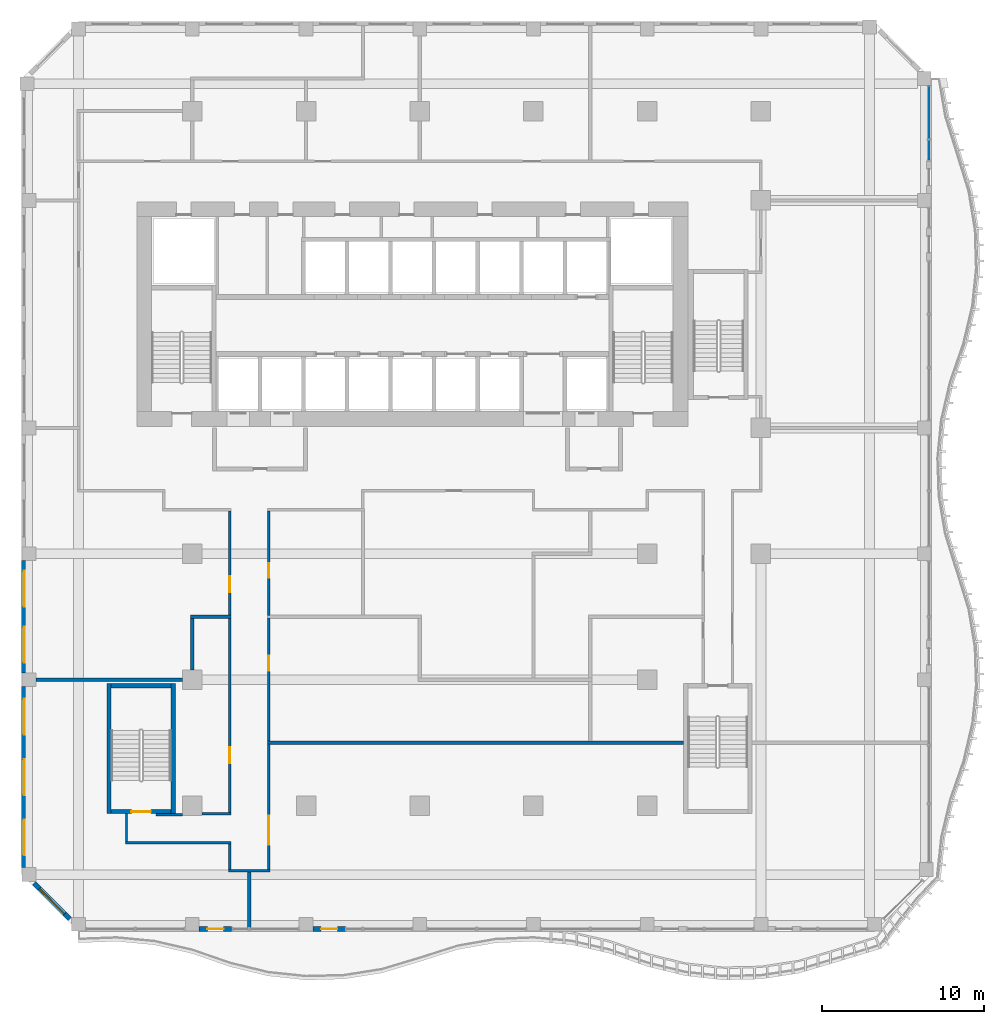
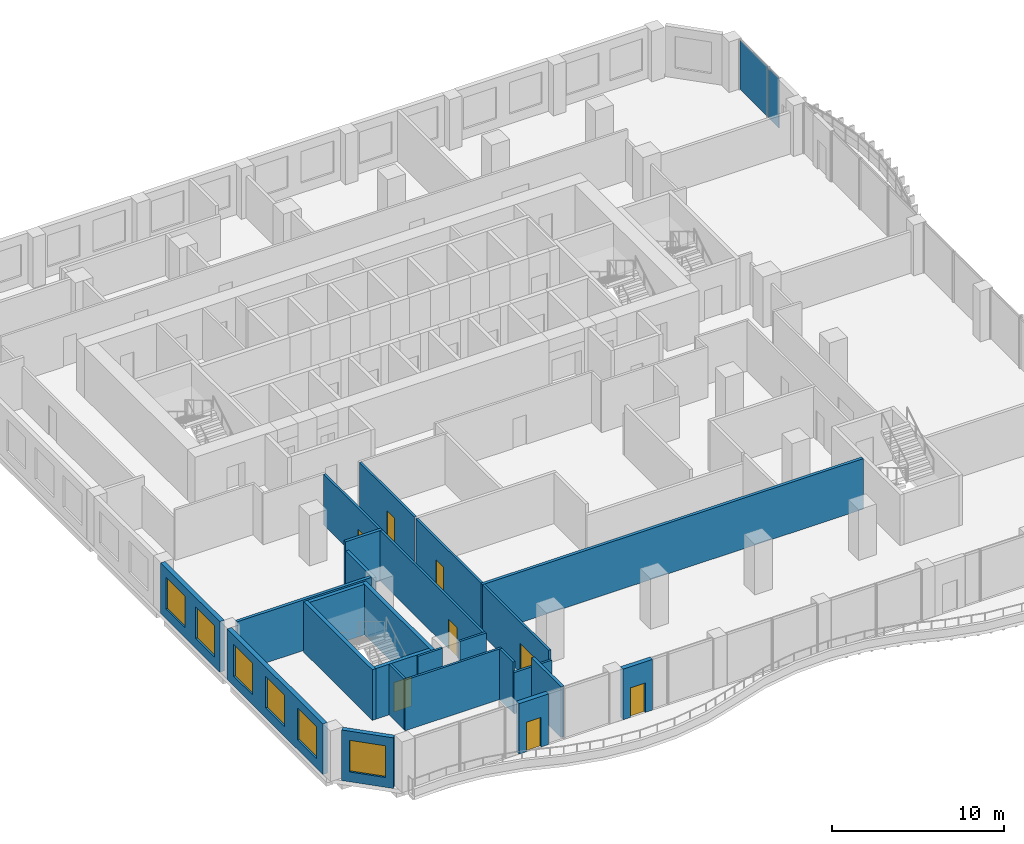
# One storey, part 10 of 19: 25 walls, 8 doors, 6 windows, 2 plates, 14 openings, 2 elements without a shape of their own.
"""IFC4 building model written with IfcOpenShell, lengths in metres."""

from ifc_helpers import new_model, si_unit, direction, frame, frame_2d, origin, origin_2d, place, context, subcontext, project, spatial, rectangle, extrude, source, transform, mapped, material, layer, layer_set, type_object, element, fill, aggregate, save


model = new_model("IFC4")

# Units and contexts
model_context = context("Model", 3, precision=1e-05, world=origin(), true_north=direction((0.0, 1.0)))
body_context = subcontext(model_context, "Body", "Model", "MODEL_VIEW")
ifc_project = project(units=[si_unit("LENGTHUNIT", "METRE"), si_unit("AREAUNIT", "SQUARE_METRE"), si_unit("VOLUMEUNIT", "CUBIC_METRE"), si_unit("PLANEANGLEUNIT", "RADIAN"), si_unit("MASSUNIT", "GRAM", prefix="KILO")], contexts=[model_context])

# Site, building, storey
site_placement = place(None, origin())
site = spatial("IfcSite", under=ifc_project, at=site_placement, CompositionType="ELEMENT")
building_placement = place(site_placement, origin())
building = spatial("IfcBuilding", under=site, at=building_placement, Name="Kilnfold Tower and Market Hall", CompositionType="ELEMENT")
storey_placement = place(building_placement, frame((0.0, 0.0, 124.60009765625)))
storey = spatial("IfcBuildingStorey", under=building, at=storey_placement, Name="L29", CompositionType="ELEMENT", Elevation=124.60009765625)

# Curtain wall, plate
ifc_material_1 = material(Name="Aluminium and double glazing", Category="aluminium")
curtain_wall_type = type_object("IfcCurtainWallType", Name="CW OF2 VALLEY GLAZING", PredefinedType="NOTDEFINED", material=ifc_material_1)
curtain_wall_1_placement = place(storey_placement, origin())
curtain_wall_1 = element("IfcCurtainWall", 1, at=curtain_wall_1_placement, inside=storey, type_object=curtain_wall_type, Name="Curtain wall CW2 L29 E", PredefinedType="NOTDEFINED")
ifc_material_2 = material(Name="Double glazed unit")
ifc_layer_1 = layer(ifc_material_2, 0.031982421875)
ifc_layer_set_1 = layer_set([ifc_layer_1], Name="Double glazed unit")
plate_type = type_object("IfcPlateType", Name="GLAZING PANEL 32", PredefinedType="CURTAIN_PANEL", material=ifc_layer_set_1)
shared_shape_1 = source(origin(), body_context, "Body", "SweptSolid", [
    extrude(rectangle(XDim=1.205078125, YDim=0.031982421875, at=origin_2d()), origin(), (0.0, 0.0, 1.0), 3.5400390625),
])
plate_1_placement = place(storey_placement, frame((32.85009765625, 25.08740234375, 0.0), z_axis=(0.0, 0.0, 1.0), x_axis=(0.0, 1.0, 0.0)))
plate_1 = element("IfcPlate", 2, at=plate_1_placement, type_object=plate_type, Name="CW2 panel 1.1", PredefinedType="CURTAIN_PANEL", context=body_context, shape_type="MappedRepresentation", body=[
    mapped(shared_shape_1, transform((0.0, 0.0, 0.0))),
])
aggregate(curtain_wall_1, [plate_1])

curtain_wall_2_placement = place(storey_placement, origin())
curtain_wall_2 = element("IfcCurtainWall", 3, at=curtain_wall_2_placement, inside=storey, type_object=curtain_wall_type, Name="Curtain wall CW2 L29 E", PredefinedType="NOTDEFINED")
shared_shape_2 = source(origin(), body_context, "Body", "SweptSolid", [
    extrude(rectangle(XDim=3.205078125, YDim=0.031982421875, at=origin_2d()), origin(), (0.0, 0.0, 1.0), 3.5400390625),
])
plate_2_placement = place(storey_placement, frame((32.85009765625, 27.41259765625, 0.0), z_axis=(0.0, 0.0, 1.0), x_axis=(0.0, 1.0, 0.0)))
plate_2 = element("IfcPlate", 4, at=plate_2_placement, type_object=plate_type, Name="CW2 panel 1.1", PredefinedType="CURTAIN_PANEL", context=body_context, shape_type="MappedRepresentation", body=[
    mapped(shared_shape_2, transform((0.0, 0.0, 0.0))),
])
aggregate(curtain_wall_2, [plate_2])

# Wall, opening, door
ifc_material_3 = material(Name="Gypsum board on steel studs", Category="steel")
ifc_layer_2 = layer(ifc_material_3, 0.14990234375)
ifc_layer_set_2 = layer_set([ifc_layer_2], Name="Gypsum board on steel studs")
wall_type_1 = type_object("IfcWallType", Name="WALL CORRIDOR 150", PredefinedType="PARTITIONING", material=ifc_layer_set_2)
wall_1_placement = place(storey_placement, frame((-10.199951171875, -3.534912109375, 0.0), z_axis=(0.0, 0.0, 1.0), x_axis=(0.0, 1.0, 0.0)))
wall_1 = element("IfcWall", 5, at=wall_1_placement, inside=storey, type_object=wall_type_1, Name="Partition LY18.1", PredefinedType="PARTITIONING", context=body_context, shape_type="SweptSolid", body=[
    extrude(rectangle(XDim=6.409912109375, YDim=0.14990234375, at=frame_2d((3.205078125, 0.0))), origin(), (0.0, 0.0, 1.0), 3.599853515625),
])
opening_1_placement = place(wall_1_placement, frame((1.402099609375, 0.0, 0.0)))
opening_1 = element("IfcOpeningElement", 6, at=opening_1_placement, cuts=wall_1, Name="Opening D1", PredefinedType="OPENING", context=body_context, shape_type="SweptSolid", body=[
    extrude(rectangle(XDim=1.0, YDim=2.10009765625, at=frame_2d((0.5, 1.050048828125))), frame((0.0, 0.0849609375, 0.0), z_axis=(0.0, -1.0, 0.0), x_axis=(1.0, 0.0, 0.0)), (0.0, 0.0, 1.0), 0.169921875),
])
ifc_material_4 = material(Name="Timber veneer door leaf in steel frame", Category="steel")
door_type_1 = type_object("IfcDoorType", Name="DOOR ENTRY 1000 X2100", OperationType="NOTDEFINED", PredefinedType="DOOR", material=ifc_material_4)
door_1_placement = place(opening_1_placement, origin())
door_1 = element("IfcDoor", 7, at=door_1_placement, inside=storey, type_object=door_type_1, Name="Door D1", OperationType="SINGLE_SWING_LEFT", OverallHeight=2.10009765625, OverallWidth=1.0, PredefinedType="DOOR", context=body_context, shape_type="SweptSolid", body=[
    extrude(rectangle(XDim=1.0, YDim=2.10009765625, at=frame_2d((0.5, 1.050048828125))), frame((0.0, 0.02490234375, 0.0), z_axis=(0.0, -1.0, 0.0), x_axis=(1.0, 0.0, 0.0)), (0.0, 0.0, 1.0), 0.050048828125),
])
fill(opening_1, door_1)

# Wall
wall_2_placement = place(storey_placement, frame((-10.125, -15.75, 0.0), z_axis=(0.0, 0.0, 1.0), x_axis=(-1.0, 0.0, 0.0)))
element("IfcWall", 8, at=wall_2_placement, inside=storey, type_object=wall_type_1, Name="Partition LY18.6", PredefinedType="PARTITIONING", context=body_context, shape_type="SweptSolid", body=[
    extrude(rectangle(XDim=1.77490234375, YDim=0.14990234375, at=frame_2d((0.887451171875, 0.0))), origin(), (0.0, 0.0, 1.0), 3.599853515625),
])

# Wall, opening, door
wall_3_placement = place(storey_placement, frame((-10.199951171875, -15.675048828125, 0.0), z_axis=(0.0, 0.0, 1.0), x_axis=(0.0, 1.0, 0.0)))
wall_3 = element("IfcWall", 9, at=wall_3_placement, inside=storey, type_object=wall_type_1, Name="Partition LY18.7", PredefinedType="PARTITIONING", context=body_context, shape_type="SweptSolid", body=[
    extrude(rectangle(XDim=11.9599609375, YDim=0.14990234375, at=frame_2d((5.97998046875, 0.0))), origin(), (0.0, 0.0, 1.0), 3.599853515625),
])
opening_2_placement = place(wall_3_placement, frame((3.01611328125, 0.0, 0.0)))
opening_2 = element("IfcOpeningElement", 10, at=opening_2_placement, cuts=wall_3, Name="Opening D1", PredefinedType="OPENING", context=body_context, shape_type="SweptSolid", body=[
    extrude(rectangle(XDim=1.0, YDim=2.10009765625, at=frame_2d((0.5, 1.050048828125))), frame((0.0, 0.0849609375, 0.0), z_axis=(0.0, -1.0, 0.0), x_axis=(1.0, 0.0, 0.0)), (0.0, 0.0, 1.0), 0.169921875),
])
door_2_placement = place(opening_2_placement, origin())
door_2 = element("IfcDoor", 11, at=door_2_placement, inside=storey, type_object=door_type_1, Name="Door D1", OperationType="SINGLE_SWING_RIGHT", OverallHeight=2.10009765625, OverallWidth=1.0, PredefinedType="DOOR", context=body_context, shape_type="SweptSolid", body=[
    extrude(rectangle(XDim=1.0, YDim=2.10009765625, at=frame_2d((0.5, 1.050048828125))), frame((0.0, 0.02490234375, 0.0), z_axis=(0.0, -1.0, 0.0), x_axis=(1.0, 0.0, 0.0)), (0.0, 0.0, 1.0), 0.050048828125),
])
fill(opening_2, door_2)

# Walls
wall_4_placement = place(storey_placement, frame((-10.27490234375, -19.25, 0.0), z_axis=(0.0, 0.0, 1.0), x_axis=(1.0, 0.0, 0.0)))
element("IfcWall", 12, at=wall_4_placement, inside=storey, type_object=wall_type_1, Name="Partition LY18.8", PredefinedType="PARTITIONING", context=body_context, shape_type="SweptSolid", body=[
    extrude(rectangle(XDim=2.5498046875, YDim=0.14990234375, at=frame_2d((1.27490234375, 0.0))), origin(), (0.0, 0.0, 1.0), 2.949951171875),
])
wall_5_placement = place(storey_placement, frame((-10.199951171875, -19.175048828125, 0.0), z_axis=(0.0, 0.0, 1.0), x_axis=(0.0, 1.0, 0.0)))
element("IfcWall", 13, at=wall_5_placement, inside=storey, type_object=wall_type_1, Name="Partition LY18.9", PredefinedType="PARTITIONING", context=body_context, shape_type="SweptSolid", body=[
    extrude(rectangle(XDim=1.550048828125, YDim=0.14990234375, at=frame_2d((0.77490234375, 0.0))), origin(), (0.0, 0.0, 1.0), 3.599853515625),
])
wall_6_placement = place(storey_placement, frame((-16.625, -17.550048828125, 0.0), z_axis=(0.0, 0.0, 1.0), x_axis=(1.0, 0.0, 0.0)))
element("IfcWall", 14, at=wall_6_placement, inside=storey, type_object=wall_type_1, Name="Partition LY18.10", PredefinedType="PARTITIONING", context=body_context, shape_type="SweptSolid", body=[
    extrude(rectangle(XDim=6.5, YDim=0.14990234375, at=frame_2d((3.25, 0.0))), origin(), (0.0, 0.0, 1.0), 3.599853515625),
])
wall_7_placement = place(storey_placement, frame((-16.550048828125, -15.75, 0.0), z_axis=(0.0, 0.0, 1.0), x_axis=(0.0, -1.0, 0.0)))
element("IfcWall", 15, at=wall_7_placement, inside=storey, type_object=wall_type_1, Name="Partition LY18.11", PredefinedType="PARTITIONING", context=body_context, shape_type="SweptSolid", body=[
    extrude(rectangle(XDim=1.72509765625, YDim=0.14990234375, at=frame_2d((0.862548828125, 0.0))), origin(), (0.0, 0.0, 1.0), 3.599853515625),
])
wall_8_placement = place(storey_placement, frame((-13.10009765625, -15.824951171875, 0.0), z_axis=(0.0, 0.0, 1.0), x_axis=(-1.0, 0.0, 0.0)))
element("IfcWall", 16, at=wall_8_placement, inside=storey, type_object=wall_type_1, Name="Partition LY18.12", PredefinedType="PARTITIONING", context=body_context, shape_type="SweptSolid", body=[
    extrude(rectangle(XDim=1.64990234375, YDim=0.14990234375, at=frame_2d((0.824951171875, 0.0))), origin(), (0.0, 0.0, 1.0), 3.599853515625),
])

# Wall, opening, door
wall_9_placement = place(storey_placement, frame((-7.800048828125, -3.534912109375, 0.0), z_axis=(0.0, 0.0, 1.0), x_axis=(0.0, 1.0, 0.0)))
wall_9 = element("IfcWall", 17, at=wall_9_placement, inside=storey, type_object=wall_type_1, Name="Partition LY18.14", PredefinedType="PARTITIONING", context=body_context, shape_type="SweptSolid", body=[
    extrude(rectangle(XDim=6.409912109375, YDim=0.14990234375, at=frame_2d((3.205078125, 0.0))), origin(), (0.0, 0.0, 1.0), 3.599853515625),
])
opening_3_placement = place(wall_9_placement, frame((2.303955078125, 0.0, 0.0)))
opening_3 = element("IfcOpeningElement", 18, at=opening_3_placement, cuts=wall_9, Name="Opening D3", PredefinedType="OPENING", context=body_context, shape_type="SweptSolid", body=[
    extrude(rectangle(XDim=0.89990234375, YDim=2.10009765625, at=frame_2d((0.449951171875, 1.050048828125))), frame((0.0, 0.0849609375, 0.0), z_axis=(0.0, -1.0, 0.0), x_axis=(1.0, 0.0, 0.0)), (0.0, 0.0, 1.0), 0.169921875),
])
ifc_material_5 = material(Name="Timber veneer door leaf in steel frame", Category="steel")
door_type_2 = type_object("IfcDoorType", Name="DOOR WC 900 X2100", OperationType="NOTDEFINED", PredefinedType="DOOR", material=ifc_material_5)
door_3_placement = place(opening_3_placement, origin())
door_3 = element("IfcDoor", 19, at=door_3_placement, inside=storey, type_object=door_type_2, Name="Door D3", OperationType="SINGLE_SWING_RIGHT", OverallHeight=2.10009765625, OverallWidth=0.89990234375, PredefinedType="DOOR", context=body_context, shape_type="SweptSolid", body=[
    extrude(rectangle(XDim=0.89990234375, YDim=2.10009765625, at=frame_2d((0.449951171875, 1.050048828125))), frame((0.0, 0.02490234375, 0.0), z_axis=(0.0, -1.0, 0.0), x_axis=(1.0, 0.0, 0.0)), (0.0, 0.0, 1.0), 0.050048828125),
])
fill(opening_3, door_3)

wall_10_placement = place(storey_placement, frame((-7.800048828125, -11.284912109375, 0.0), z_axis=(0.0, 0.0, 1.0), x_axis=(0.0, 1.0, 0.0)))
wall_10 = element("IfcWall", 20, at=wall_10_placement, inside=storey, type_object=wall_type_1, Name="Partition LY18.15", PredefinedType="PARTITIONING", context=body_context, shape_type="SweptSolid", body=[
    extrude(rectangle(XDim=7.56982421875, YDim=0.14990234375, at=frame_2d((3.784912109375, 0.0))), origin(), (0.0, 0.0, 1.0), 3.599853515625),
])
opening_4_placement = place(wall_10_placement, frame((4.345947265625, 0.0, 0.0)))
opening_4 = element("IfcOpeningElement", 21, at=opening_4_placement, cuts=wall_10, Name="Opening D2", PredefinedType="OPENING", context=body_context, shape_type="SweptSolid", body=[
    extrude(rectangle(XDim=0.89990234375, YDim=2.10009765625, at=frame_2d((0.449951171875, 1.050048828125))), frame((0.0, 0.0849609375, 0.0), z_axis=(0.0, -1.0, 0.0), x_axis=(1.0, 0.0, 0.0)), (0.0, 0.0, 1.0), 0.169921875),
])
ifc_material_6 = material(Name="Timber veneer door leaf in steel frame", Category="steel")
door_type_3 = type_object("IfcDoorType", Name="DOOR ROOM 900 X2100", OperationType="NOTDEFINED", PredefinedType="DOOR", material=ifc_material_6)
door_4_placement = place(opening_4_placement, origin())
door_4 = element("IfcDoor", 22, at=door_4_placement, inside=storey, type_object=door_type_3, Name="Door D2", OperationType="SINGLE_SWING_RIGHT", OverallHeight=2.10009765625, OverallWidth=0.89990234375, PredefinedType="DOOR", context=body_context, shape_type="SweptSolid", body=[
    extrude(rectangle(XDim=0.89990234375, YDim=2.10009765625, at=frame_2d((0.449951171875, 1.050048828125))), frame((0.0, 0.02490234375, 0.0), z_axis=(0.0, -1.0, 0.0), x_axis=(1.0, 0.0, 0.0)), (0.0, 0.0, 1.0), 0.050048828125),
])
fill(opening_4, door_4)

wall_11_placement = place(storey_placement, frame((-7.800048828125, -19.175048828125, 0.0), z_axis=(0.0, 0.0, 1.0), x_axis=(0.0, 1.0, 0.0)))
wall_11 = element("IfcWall", 23, at=wall_11_placement, inside=storey, type_object=wall_type_1, Name="Partition LY18.16", PredefinedType="PARTITIONING", context=body_context, shape_type="SweptSolid", body=[
    extrude(rectangle(XDim=7.7099609375, YDim=0.14990234375, at=frame_2d((3.85498046875, 0.0))), origin(), (0.0, 0.0, 1.0), 3.599853515625),
])
opening_5_placement = place(wall_11_placement, frame((1.501953125, 0.0, 0.0)))
opening_5 = element("IfcOpeningElement", 24, at=opening_5_placement, cuts=wall_11, Name="Opening D5", PredefinedType="OPENING", context=body_context, shape_type="SweptSolid", body=[
    extrude(rectangle(XDim=1.800048828125, YDim=2.10009765625, at=frame_2d((0.89990234375, 1.050048828125))), frame((0.0, 0.0849609375, 0.0), z_axis=(0.0, -1.0, 0.0), x_axis=(1.0, 0.0, 0.0)), (0.0, 0.0, 1.0), 0.169921875),
])
ifc_material_7 = material(Name="Timber veneer door leaf in steel frame", Category="steel")
door_type_4 = type_object("IfcDoorType", Name="DOOR DOUBLE 1800 X2100", OperationType="NOTDEFINED", PredefinedType="DOOR", material=ifc_material_7)
door_5_placement = place(opening_5_placement, origin())
door_5 = element("IfcDoor", 25, at=door_5_placement, inside=storey, type_object=door_type_4, Name="Door D5", OperationType="DOUBLE_DOOR_SINGLE_SWING", OverallHeight=2.10009765625, OverallWidth=1.800048828125, PredefinedType="DOOR", context=body_context, shape_type="SweptSolid", body=[
    extrude(rectangle(XDim=1.800048828125, YDim=2.10009765625, at=frame_2d((0.89990234375, 1.050048828125))), frame((0.0, 0.02490234375, 0.0), z_axis=(0.0, -1.0, 0.0), x_axis=(1.0, 0.0, 0.0)), (0.0, 0.0, 1.0), 0.050048828125),
])
fill(opening_5, door_5)

# Walls
ifc_material_8 = material(Name="Gypsum board on steel studs", Category="steel")
ifc_layer_3 = layer(ifc_material_8, 0.199951171875)
ifc_layer_set_3 = layer_set([ifc_layer_3], Name="Gypsum board on steel studs")
wall_type_2 = type_object("IfcWallType", Name="WALL PARTY 200", PredefinedType="PARTITIONING", material=ifc_layer_set_3)
wall_12_placement = place(storey_placement, frame((-12.60009765625, -3.625, 0.0), z_axis=(0.0, 0.0, 1.0), x_axis=(1.0, 0.0, 0.0)))
element("IfcWall", 26, at=wall_12_placement, inside=storey, type_object=wall_type_2, Name="Partition LY18.36", PredefinedType="PARTITIONING", context=body_context, shape_type="SweptSolid", body=[
    extrude(rectangle(XDim=2.47412109375, YDim=0.199951171875, at=frame_2d((1.237060546875, 0.0))), origin(), (0.0, 0.0, 1.0), 3.599853515625),
])
wall_13_placement = place(storey_placement, frame((-12.5, -6.89990234375, 0.0), z_axis=(0.0, 0.0, 1.0), x_axis=(0.0, 1.0, 0.0)))
element("IfcWall", 27, at=wall_13_placement, inside=storey, type_object=wall_type_2, Name="Partition LY18.37", PredefinedType="PARTITIONING", context=body_context, shape_type="SweptSolid", body=[
    extrude(rectangle(XDim=3.1748046875, YDim=0.199951171875, at=frame_2d((1.58740234375, 0.0))), origin(), (0.0, 0.0, 1.0), 2.949951171875),
])
wall_14_placement = place(storey_placement, frame((-22.125, -7.5, 0.0), z_axis=(0.0, 0.0, 1.0), x_axis=(1.0, 0.0, 0.0)))
element("IfcWall", 28, at=wall_14_placement, inside=storey, type_object=wall_type_2, Name="Partition LY18.38", PredefinedType="PARTITIONING", context=body_context, shape_type="SweptSolid", body=[
    extrude(rectangle(XDim=9.02490234375, YDim=0.199951171875, at=frame_2d((4.512451171875, 0.0))), origin(), (0.0, 0.0, 1.0), 3.599853515625),
])
wall_15_placement = place(storey_placement, frame((-9.0, -22.75, 0.0), z_axis=(0.0, 0.0, 1.0), x_axis=(0.0, 1.0, 0.0)))
element("IfcWall", 29, at=wall_15_placement, inside=storey, type_object=wall_type_2, Name="Partition LY18.40", PredefinedType="PARTITIONING", context=body_context, shape_type="SweptSolid", body=[
    extrude(rectangle(XDim=3.424072265625, YDim=0.199951171875, at=frame_2d((1.7119140625, 0.0))), origin(), (0.0, 0.0, 1.0), 3.599853515625),
])
wall_16_placement = place(storey_placement, frame((-7.8740234375, -11.375, 0.0), z_axis=(0.0, 0.0, 1.0), x_axis=(1.0, 0.0, 0.0)))
element("IfcWall", 30, at=wall_16_placement, inside=storey, type_object=wall_type_2, Name="Partition LY18.43", PredefinedType="PARTITIONING", context=body_context, shape_type="SweptSolid", body=[
    extrude(rectangle(XDim=25.6240234375, YDim=0.199951171875, at=frame_2d((12.81201171875, 0.0))), origin(), (0.0, 0.0, 1.0), 3.599853515625),
])

# Wall, opening, door
ifc_material_9 = material(Name="Concrete C70", Category="concrete")
ifc_layer_4 = layer(ifc_material_9, 0.25)
ifc_layer_set_4 = layer_set([ifc_layer_4], Name="Concrete C70")
wall_type_3 = type_object("IfcWallType", Name="CORE WALL 250 C70", PredefinedType="SHEAR", material=ifc_layer_set_4)
shared_shape_3 = source(origin(), body_context, "Body", "SweptSolid", [
    extrude(rectangle(XDim=3.699951171875, YDim=0.25, at=frame_2d((1.85009765625, 0.0))), origin(), (0.0, 0.0, 1.0), 3.599853515625),
])
wall_17_placement = place(storey_placement, frame((-17.5, -15.625, 0.0), z_axis=(0.0, 0.0, 1.0), x_axis=(1.0, 0.0, 0.0)))
wall_17 = element("IfcWall", 31, at=wall_17_placement, inside=storey, type_object=wall_type_3, Name="Stair enclosure ST3", PredefinedType="SHEAR", context=body_context, shape_type="MappedRepresentation", body=[
    mapped(shared_shape_3, transform((0.0, 0.0, 0.0))),
])
opening_6_placement = place(wall_17_placement, frame((1.25, 0.0, 0.0)))
opening_6 = element("IfcOpeningElement", 32, at=opening_6_placement, cuts=wall_17, Name="Opening SD1", PredefinedType="OPENING", context=body_context, shape_type="SweptSolid", body=[
    extrude(rectangle(XDim=1.199951171875, YDim=2.10009765625, at=frame_2d((0.60009765625, 1.050048828125))), frame((0.0, 0.135009765625, 0.0), z_axis=(0.0, -1.0, 0.0), x_axis=(1.0, 0.0, 0.0)), (0.0, 0.0, 1.0), 0.27001953125),
])
ifc_material_10 = material(Name="Steel door set with fire-resisting leaf", Category="steel")
door_type_5 = type_object("IfcDoorType", Name="STAIR FLOOR DOOR 1200X2100", OperationType="NOTDEFINED", PredefinedType="DOOR", material=ifc_material_10)
door_6_placement = place(opening_6_placement, origin())
door_6 = element("IfcDoor", 33, at=door_6_placement, inside=storey, type_object=door_type_5, Name="Exit stair ST3 door", OperationType="DOUBLE_DOOR_SINGLE_SWING", OverallHeight=2.10009765625, OverallWidth=1.199951171875, PredefinedType="DOOR", context=body_context, shape_type="SweptSolid", body=[
    extrude(rectangle(XDim=1.199951171875, YDim=2.10009765625, at=frame_2d((0.60009765625, 1.050048828125))), frame((0.0, 0.02490234375, 0.0), z_axis=(0.0, -1.0, 0.0), x_axis=(1.0, 0.0, 0.0)), (0.0, 0.0, 1.0), 0.050048828125),
])
fill(opening_6, door_6)

# Walls
wall_18_placement = place(storey_placement, frame((-17.5, -7.875, 0.0), z_axis=(0.0, 0.0, 1.0), x_axis=(1.0, 0.0, 0.0)))
element("IfcWall", 34, at=wall_18_placement, inside=storey, type_object=wall_type_3, Name="Stair enclosure ST3", PredefinedType="SHEAR", context=body_context, shape_type="MappedRepresentation", body=[
    mapped(shared_shape_3, transform((0.0, 0.0, 0.0))),
])
shared_shape_4 = source(origin(), body_context, "Body", "SweptSolid", [
    extrude(rectangle(XDim=8.0, YDim=0.25, at=frame_2d((4.0, 0.0))), origin(), (0.0, 0.0, 1.0), 3.599853515625),
])
for number, where, z_axis, x_axis, name in (
    (35, (-17.625, -15.75, 0.0), (0.0, 0.0, 1.0), (0.0, 1.0, 0.0), "Stair enclosure ST3"),
    (36, (-13.675048828125, -15.75, 0.0), (0.0, 0.0, 1.0), (0.0, 1.0, 0.0), "Stair enclosure ST3"),
):
    element("IfcWall", number, at=place(storey_placement, frame(where, z_axis=z_axis, x_axis=x_axis)), inside=storey, type_object=wall_type_3, Name=name, PredefinedType="SHEAR", context=body_context, shape_type="MappedRepresentation", body=[
        mapped(shared_shape_4, transform((0.0, 0.0, 0.0))),
    ])

# Wall, opening, door
ifc_material_11 = material(Name="Precast concrete C50/60", Category="concrete")
ifc_layer_5 = layer(ifc_material_11, 0.300048828125)
ifc_layer_set_5 = layer_set([ifc_layer_5], Name="Precast concrete C50/60")
wall_type_4 = type_object("IfcWallType", Name="PRECAST WALL 300", PredefinedType="SOLIDWALL", material=ifc_layer_set_5)
shared_shape_5 = source(origin(), body_context, "Body", "SweptSolid", [
    extrude(rectangle(XDim=2.0, YDim=0.300048828125, at=frame_2d((1.0, 0.0))), origin(), (0.0, 0.0, 1.0), 3.599853515625),
])
wall_19_placement = place(storey_placement, frame((-12.074951171875, -22.85009765625, 0.0), z_axis=(0.0, 0.0, 1.0), x_axis=(1.0, 0.0, 0.0)))
wall_19 = element("IfcWall", 37, at=wall_19_placement, inside=storey, type_object=wall_type_4, Name="External wall L29 S", PredefinedType="SOLIDWALL", context=body_context, shape_type="MappedRepresentation", body=[
    mapped(shared_shape_5, transform((0.0, 0.0, 0.0))),
])
opening_7_placement = place(wall_19_placement, frame((0.5, 0.0, 0.0)))
opening_7 = element("IfcOpeningElement", 38, at=opening_7_placement, cuts=wall_19, Name="Opening BD1", PredefinedType="OPENING", context=body_context, shape_type="SweptSolid", body=[
    extrude(rectangle(XDim=1.0, YDim=2.10009765625, at=frame_2d((0.5, 1.050048828125))), frame((0.0, 0.16015625, 0.0), z_axis=(0.0, -1.0, 0.0), x_axis=(1.0, 0.0, 0.0)), (0.0, 0.0, 1.0), 0.320068359375),
])
ifc_material_12 = material(Name="Aluminium frame and double glazing", Category="aluminium")
door_type_6 = type_object("IfcDoorType", Name="BALCONY DOOR 1000X2100", OperationType="NOTDEFINED", PredefinedType="DOOR", material=ifc_material_12)
door_7_placement = place(opening_7_placement, origin())
door_7 = element("IfcDoor", 39, at=door_7_placement, inside=storey, type_object=door_type_6, Name="Balcony door BD1 L29 S-1", OperationType="SINGLE_SWING_LEFT", OverallHeight=2.10009765625, OverallWidth=1.0, PredefinedType="DOOR", context=body_context, shape_type="SweptSolid", body=[
    extrude(rectangle(XDim=1.0, YDim=2.10009765625, at=frame_2d((0.5, 1.050048828125))), frame((0.0, 0.02490234375, 0.0), z_axis=(0.0, -1.0, 0.0), x_axis=(1.0, 0.0, 0.0)), (0.0, 0.0, 1.0), 0.050048828125),
])
fill(opening_7, door_7)

wall_20_placement = place(storey_placement, frame((-5.074951171875, -22.85009765625, 0.0), z_axis=(0.0, 0.0, 1.0), x_axis=(1.0, 0.0, 0.0)))
wall_20 = element("IfcWall", 40, at=wall_20_placement, inside=storey, type_object=wall_type_4, Name="External wall L29 S", PredefinedType="SOLIDWALL", context=body_context, shape_type="MappedRepresentation", body=[
    mapped(shared_shape_5, transform((0.0, 0.0, 0.0))),
])
opening_8_placement = place(wall_20_placement, frame((0.5, 0.0, 0.0)))
opening_8 = element("IfcOpeningElement", 41, at=opening_8_placement, cuts=wall_20, Name="Opening BD1", PredefinedType="OPENING", context=body_context, shape_type="SweptSolid", body=[
    extrude(rectangle(XDim=1.0, YDim=2.10009765625, at=frame_2d((0.5, 1.050048828125))), frame((0.0, 0.16015625, 0.0), z_axis=(0.0, -1.0, 0.0), x_axis=(1.0, 0.0, 0.0)), (0.0, 0.0, 1.0), 0.320068359375),
])
door_8_placement = place(opening_8_placement, origin())
door_8 = element("IfcDoor", 42, at=door_8_placement, inside=storey, type_object=door_type_6, Name="Balcony door BD1 L29 S-1", OperationType="SINGLE_SWING_LEFT", OverallHeight=2.10009765625, OverallWidth=1.0, PredefinedType="DOOR", context=body_context, shape_type="SweptSolid", body=[
    extrude(rectangle(XDim=1.0, YDim=2.10009765625, at=frame_2d((0.5, 1.050048828125))), frame((0.0, 0.02490234375, 0.0), z_axis=(0.0, -1.0, 0.0), x_axis=(1.0, 0.0, 0.0)), (0.0, 0.0, 1.0), 0.050048828125),
])
fill(opening_8, door_8)

# Wall, openings, windows
shared_shape_6 = source(origin(), body_context, "Body", "SweptSolid", [
    extrude(rectangle(XDim=6.89990234375, YDim=0.300048828125, at=frame_2d((3.449951171875, 0.0))), origin(), (0.0, 0.0, 1.0), 3.599853515625),
])
wall_21_placement = place(storey_placement, frame((-22.85009765625, -0.175048828125, 0.0), z_axis=(0.0, 0.0, 1.0), x_axis=(0.0, -1.0, 0.0)))
wall_21 = element("IfcWall", 43, at=wall_21_placement, inside=storey, type_object=wall_type_4, Name="External wall L29 W", PredefinedType="SOLIDWALL", context=body_context, shape_type="MappedRepresentation", body=[
    mapped(shared_shape_6, transform((0.0, 0.0, 0.0))),
])
opening_9_placement = place(wall_21_placement, frame((0.625, 0.0, 0.699951171875)))
opening_9 = element("IfcOpeningElement", 44, at=opening_9_placement, cuts=wall_21, Name="Opening W1", PredefinedType="OPENING", context=body_context, shape_type="SweptSolid", body=[
    extrude(rectangle(XDim=2.199951171875, YDim=2.25, at=frame_2d((1.10009765625, 1.125))), frame((0.0, 0.16015625, 0.0), z_axis=(0.0, -1.0, 0.0), x_axis=(1.0, 0.0, 0.0)), (0.0, 0.0, 1.0), 0.320068359375),
])
opening_10_placement = place(wall_21_placement, frame((4.074951171875, 0.0, 0.699951171875)))
opening_10 = element("IfcOpeningElement", 45, at=opening_10_placement, cuts=wall_21, Name="Opening W1", PredefinedType="OPENING", context=body_context, shape_type="SweptSolid", body=[
    extrude(rectangle(XDim=2.199951171875, YDim=2.25, at=frame_2d((1.10009765625, 1.125))), frame((0.0, 0.16015625, 0.0), z_axis=(0.0, -1.0, 0.0), x_axis=(1.0, 0.0, 0.0)), (0.0, 0.0, 1.0), 0.320068359375),
])
ifc_material_13 = material(Name="Aluminium frame and double glazing", Category="aluminium")
window_type = type_object("IfcWindowType", Name="WINDOW W1 2200X2250", PartitioningType="SINGLE_PANEL", PredefinedType="WINDOW", material=ifc_material_13)
window_1_placement = place(opening_9_placement, origin())
window_1 = element("IfcWindow", 46, at=window_1_placement, inside=storey, type_object=window_type, Name="Window W1 L29 W-1", OverallHeight=2.25, OverallWidth=2.199951171875, PartitioningType="SINGLE_PANEL", PredefinedType="WINDOW", context=body_context, shape_type="SweptSolid", body=[
    extrude(rectangle(XDim=2.199951171875, YDim=2.25, at=frame_2d((1.10009765625, 1.125))), frame((0.0, 0.030029296875, 0.0), z_axis=(0.0, -1.0, 0.0), x_axis=(1.0, 0.0, 0.0)), (0.0, 0.0, 1.0), 0.06005859375),
])
fill(opening_9, window_1)
window_2_placement = place(opening_10_placement, origin())
window_2 = element("IfcWindow", 47, at=window_2_placement, inside=storey, type_object=window_type, Name="Window W1 L29 W-2", OverallHeight=2.25, OverallWidth=2.199951171875, PartitioningType="SINGLE_PANEL", PredefinedType="WINDOW", context=body_context, shape_type="SweptSolid", body=[
    extrude(rectangle(XDim=2.199951171875, YDim=2.25, at=frame_2d((1.10009765625, 1.125))), frame((0.0, 0.030029296875, 0.0), z_axis=(0.0, -1.0, 0.0), x_axis=(1.0, 0.0, 0.0)), (0.0, 0.0, 1.0), 0.06005859375),
])
fill(opening_10, window_2)

shared_shape_7 = source(origin(), body_context, "Body", "SweptSolid", [
    extrude(rectangle(XDim=11.14990234375, YDim=0.300048828125, at=frame_2d((5.574951171875, 0.0))), origin(), (0.0, 0.0, 1.0), 3.599853515625),
])
wall_22_placement = place(storey_placement, frame((-22.85009765625, -7.925048828125, 0.0), z_axis=(0.0, 0.0, 1.0), x_axis=(0.0, -1.0, 0.0)))
wall_22 = element("IfcWall", 48, at=wall_22_placement, inside=storey, type_object=wall_type_4, Name="External wall L29 W", PredefinedType="SOLIDWALL", context=body_context, shape_type="MappedRepresentation", body=[
    mapped(shared_shape_7, transform((0.0, 0.0, 0.0))),
])
opening_11_placement = place(wall_22_placement, frame((0.75830078125, 0.0, 0.699951171875)))
opening_11 = element("IfcOpeningElement", 49, at=opening_11_placement, cuts=wall_22, Name="Opening W1", PredefinedType="OPENING", context=body_context, shape_type="SweptSolid", body=[
    extrude(rectangle(XDim=2.199951171875, YDim=2.25, at=frame_2d((1.10009765625, 1.125))), frame((0.0, 0.16015625, 0.0), z_axis=(0.0, -1.0, 0.0), x_axis=(1.0, 0.0, 0.0)), (0.0, 0.0, 1.0), 0.320068359375),
])
opening_12_placement = place(wall_22_placement, frame((4.47509765625, 0.0, 0.699951171875)))
opening_12 = element("IfcOpeningElement", 50, at=opening_12_placement, cuts=wall_22, Name="Opening W1", PredefinedType="OPENING", context=body_context, shape_type="SweptSolid", body=[
    extrude(rectangle(XDim=2.199951171875, YDim=2.25, at=frame_2d((1.10009765625, 1.125))), frame((0.0, 0.16015625, 0.0), z_axis=(0.0, -1.0, 0.0), x_axis=(1.0, 0.0, 0.0)), (0.0, 0.0, 1.0), 0.320068359375),
])
opening_13_placement = place(wall_22_placement, frame((8.191650390625, 0.0, 0.699951171875)))
opening_13 = element("IfcOpeningElement", 51, at=opening_13_placement, cuts=wall_22, Name="Opening W1", PredefinedType="OPENING", context=body_context, shape_type="SweptSolid", body=[
    extrude(rectangle(XDim=2.199951171875, YDim=2.25, at=frame_2d((1.10009765625, 1.125))), frame((0.0, 0.16015625, 0.0), z_axis=(0.0, -1.0, 0.0), x_axis=(1.0, 0.0, 0.0)), (0.0, 0.0, 1.0), 0.320068359375),
])
window_3_placement = place(opening_11_placement, origin())
window_3 = element("IfcWindow", 52, at=window_3_placement, inside=storey, type_object=window_type, Name="Window W1 L29 W-1", OverallHeight=2.25, OverallWidth=2.199951171875, PartitioningType="SINGLE_PANEL", PredefinedType="WINDOW", context=body_context, shape_type="SweptSolid", body=[
    extrude(rectangle(XDim=2.199951171875, YDim=2.25, at=frame_2d((1.10009765625, 1.125))), frame((0.0, 0.030029296875, 0.0), z_axis=(0.0, -1.0, 0.0), x_axis=(1.0, 0.0, 0.0)), (0.0, 0.0, 1.0), 0.06005859375),
])
fill(opening_11, window_3)
window_4_placement = place(opening_12_placement, origin())
window_4 = element("IfcWindow", 53, at=window_4_placement, inside=storey, type_object=window_type, Name="Window W1 L29 W-2", OverallHeight=2.25, OverallWidth=2.199951171875, PartitioningType="SINGLE_PANEL", PredefinedType="WINDOW", context=body_context, shape_type="SweptSolid", body=[
    extrude(rectangle(XDim=2.199951171875, YDim=2.25, at=frame_2d((1.10009765625, 1.125))), frame((0.0, 0.030029296875, 0.0), z_axis=(0.0, -1.0, 0.0), x_axis=(1.0, 0.0, 0.0)), (0.0, 0.0, 1.0), 0.06005859375),
])
fill(opening_12, window_4)
window_5_placement = place(opening_13_placement, origin())
window_5 = element("IfcWindow", 54, at=window_5_placement, inside=storey, type_object=window_type, Name="Window W1 L29 W-3", OverallHeight=2.25, OverallWidth=2.199951171875, PartitioningType="SINGLE_PANEL", PredefinedType="WINDOW", context=body_context, shape_type="SweptSolid", body=[
    extrude(rectangle(XDim=2.199951171875, YDim=2.25, at=frame_2d((1.10009765625, 1.125))), frame((0.0, 0.030029296875, 0.0), z_axis=(0.0, -1.0, 0.0), x_axis=(1.0, 0.0, 0.0)), (0.0, 0.0, 1.0), 0.06005859375),
])
fill(opening_13, window_5)

# Wall, opening, window
shared_shape_8 = source(origin(), body_context, "Body", "SweptSolid", [
    extrude(rectangle(XDim=3.111083984375, YDim=0.300048828125, at=frame_2d((1.5556640625, 0.0))), origin(), (0.0, 0.0, 1.0), 3.599853515625),
])
wall_23_placement = place(storey_placement, frame((-22.243896484375, -20.0439453125, 0.0), z_axis=(0.0, 0.0, 1.0), x_axis=(0.707106781187, -0.707106781187, 0.0)))
wall_23 = element("IfcWall", 55, at=wall_23_placement, inside=storey, type_object=wall_type_4, Name="External wall L29 SW", PredefinedType="SOLIDWALL", context=body_context, shape_type="MappedRepresentation", body=[
    mapped(shared_shape_8, transform((0.0, 0.0, 0.0))),
])
opening_14_placement = place(wall_23_placement, frame((0.45556640625, 0.0, 0.699951171875)))
opening_14 = element("IfcOpeningElement", 56, at=opening_14_placement, cuts=wall_23, Name="Opening W1", PredefinedType="OPENING", context=body_context, shape_type="SweptSolid", body=[
    extrude(rectangle(XDim=2.199951171875, YDim=2.25, at=frame_2d((1.10009765625, 1.125))), frame((0.0, 0.16015625, 0.0), z_axis=(0.0, -1.0, 0.0), x_axis=(1.0, 0.0, 0.0)), (0.0, 0.0, 1.0), 0.320068359375),
])
window_6_placement = place(opening_14_placement, origin())
window_6 = element("IfcWindow", 57, at=window_6_placement, inside=storey, type_object=window_type, Name="Window W1 L29 SW-1", OverallHeight=2.25, OverallWidth=2.199951171875, PartitioningType="SINGLE_PANEL", PredefinedType="WINDOW", context=body_context, shape_type="SweptSolid", body=[
    extrude(rectangle(XDim=2.199951171875, YDim=2.25, at=frame_2d((1.10009765625, 1.125))), frame((0.0, 0.030029296875, 0.0), z_axis=(0.0, -1.0, 0.0), x_axis=(1.0, 0.0, 0.0)), (0.0, 0.0, 1.0), 0.06005859375),
])
fill(opening_14, window_6)

save(model, "model.ifc")
